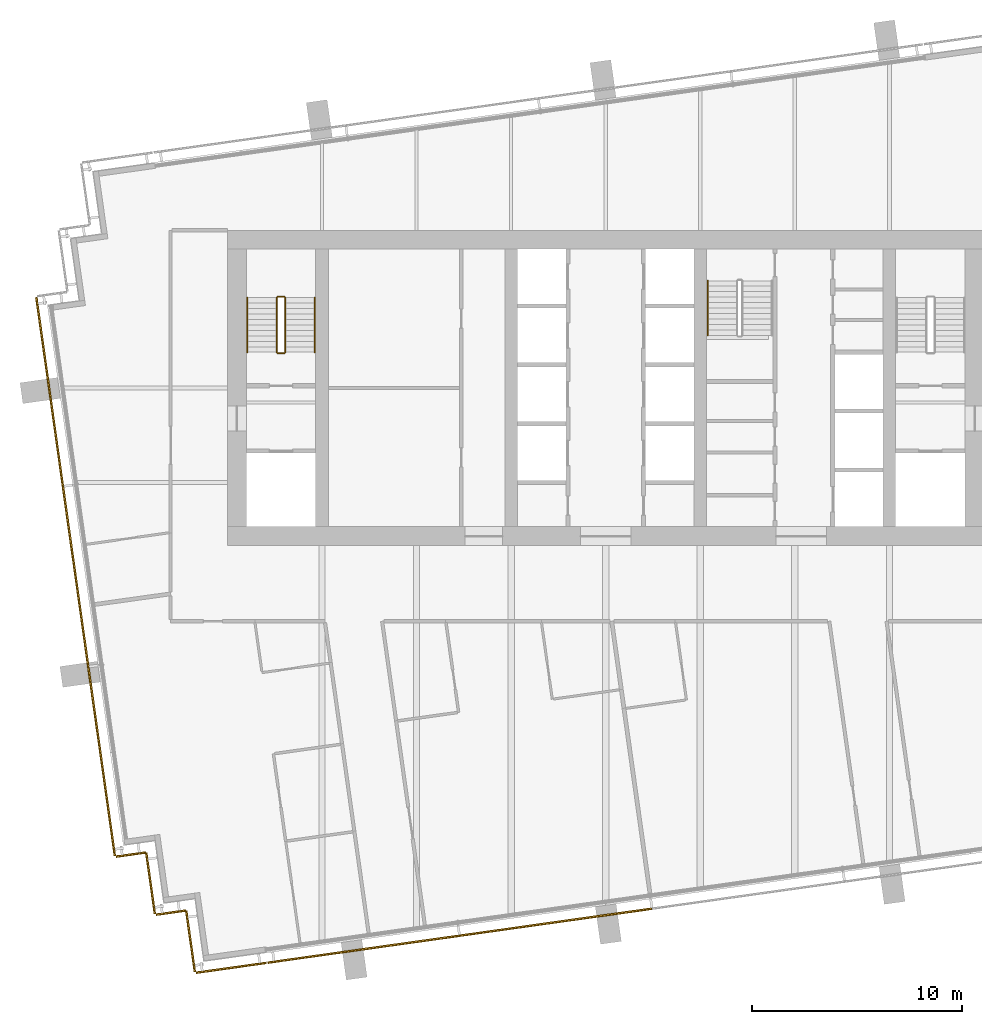
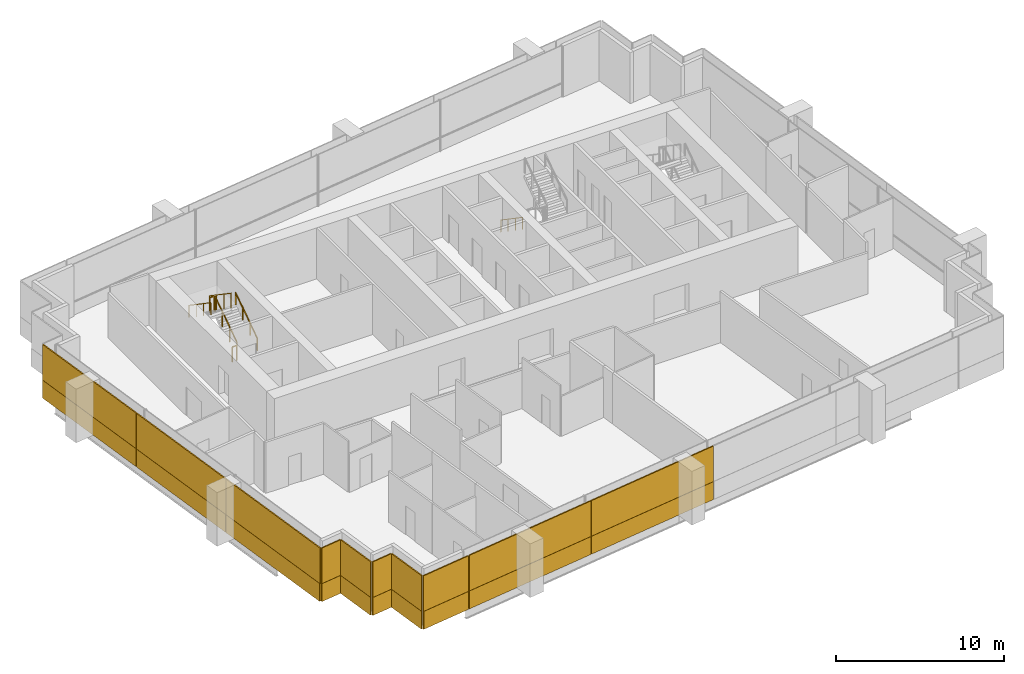
# One storey, part 12 of 15: 20 coverings, 7 railings.
"""IFC4 building model written with IfcOpenShell, lengths in metres."""

from ifc_helpers import new_model, si_unit, direction, frame, origin, origin_2d, place, context, subcontext, project, spatial, rectangle, extrude, material, layer, layer_set, type_object, element, save


model = new_model("IFC4")

# Units and contexts
model_context = context("Model", 3, precision=1e-05, world=origin(), true_north=direction((0.0, 1.0)))
body_context = subcontext(model_context, "Body", "Model", "MODEL_VIEW")
ifc_project = project(units=[si_unit("LENGTHUNIT", "METRE"), si_unit("AREAUNIT", "SQUARE_METRE"), si_unit("VOLUMEUNIT", "CUBIC_METRE"), si_unit("PLANEANGLEUNIT", "RADIAN"), si_unit("MASSUNIT", "GRAM", prefix="KILO")], contexts=[model_context])

# Site, building, storey
site_placement = place(None, origin())
site = spatial("IfcSite", under=ifc_project, at=site_placement, CompositionType="ELEMENT")
building_placement = place(site_placement, origin())
building = spatial("IfcBuilding", under=site, at=building_placement, Name="Rattan Terrace Tower", CompositionType="ELEMENT")
storey_placement = place(building_placement, frame((0.0, 0.0, 274.60009765625)))
storey = spatial("IfcBuildingStorey", under=building, at=storey_placement, Name="L63", CompositionType="ELEMENT", Elevation=274.60009765625)

# Railings
ifc_material_1 = material(Name="Powder-coated steel guard", Category="steel")
railing_type_1 = type_object("IfcRailingType", Name="Core stair guard", PredefinedType="GUARDRAIL", material=ifc_material_1)
railing_1_placement = place(storey_placement, frame((-15.25, 1.699951171875, 0.17724609375)))
element("IfcRailing", 1, at=railing_1_placement, inside=storey, type_object=railing_type_1, Name="L63 S1 stair guard 1", PredefinedType="GUARDRAIL", context=body_context, shape_type="SweptSolid", body=[
    extrude(rectangle(XDim=0.048095703125, YDim=0.048095703125, at=origin_2d()), frame((0.0, 0.0, 1.076171875), z_axis=(0.0, 0.826240473404, 0.563317565952), x_axis=(-1.0, 0.0, 0.0)), (0.0, 0.0, 1.0), 3.14697265625),
    extrude(rectangle(XDim=0.0419921875, YDim=0.0419921875, at=origin_2d()), origin(), (0.0, 0.0, 1.0), 1.052001953125),
    extrude(rectangle(XDim=0.0419921875, YDim=0.0419921875, at=origin_2d()), frame((0.0, 0.86669921875, 0.5908203125)), (0.0, 0.0, 1.0), 1.052001953125),
    extrude(rectangle(XDim=0.0419921875, YDim=0.0419921875, at=origin_2d()), frame((0.0, 1.7333984375, 1.181884765625)), (0.0, 0.0, 1.0), 1.052001953125),
    extrude(rectangle(XDim=0.0419921875, YDim=0.0419921875, at=origin_2d()), frame((0.0, 2.60009765625, 1.772705078125)), (0.0, 0.0, 1.0), 1.052001953125),
])
railing_2_placement = place(storey_placement, frame((-15.300048828125, 4.35009765625, 1.949951171875)))
element("IfcRailing", 2, at=railing_2_placement, inside=storey, type_object=railing_type_1, Name="L63 S1 stair guard 2", PredefinedType="GUARDRAIL", context=body_context, shape_type="SweptSolid", body=[
    extrude(rectangle(XDim=0.048095703125, YDim=0.048095703125, at=origin_2d()), frame((0.0, 0.0, 1.076171875), z_axis=(-1.0, 0.0, 0.0), x_axis=(0.0, -1.0, 0.0)), (0.0, 0.0, 1.0), 0.300048828125),
    extrude(rectangle(XDim=0.0419921875, YDim=0.0419921875, at=origin_2d()), origin(), (0.0, 0.0, 1.0), 1.052001953125),
    extrude(rectangle(XDim=0.0419921875, YDim=0.0419921875, at=origin_2d()), frame((-0.300048828125, 0.0, 0.0)), (0.0, 0.0, 1.0), 1.052001953125),
])
railing_3_placement = place(storey_placement, frame((-15.64990234375, 4.300048828125, 2.127197265625)))
element("IfcRailing", 3, at=railing_3_placement, inside=storey, type_object=railing_type_1, Name="L63 S1 stair guard 3", PredefinedType="GUARDRAIL", context=body_context, shape_type="SweptSolid", body=[
    extrude(rectangle(XDim=0.048095703125, YDim=0.048095703125, at=origin_2d()), frame((0.0, 0.0, 1.076171875), z_axis=(0.0, -0.826240473404, 0.563317565952), x_axis=(1.0, 0.0, 0.0)), (0.0, 0.0, 1.0), 3.14697265625),
    extrude(rectangle(XDim=0.0419921875, YDim=0.0419921875, at=origin_2d()), origin(), (0.0, 0.0, 1.0), 1.052001953125),
    extrude(rectangle(XDim=0.0419921875, YDim=0.0419921875, at=origin_2d()), frame((0.0, -0.86669921875, 0.5908203125)), (0.0, 0.0, 1.0), 1.052001953125),
    extrude(rectangle(XDim=0.0419921875, YDim=0.0419921875, at=origin_2d()), frame((0.0, -1.7333984375, 1.181884765625)), (0.0, 0.0, 1.0), 1.052001953125),
    extrude(rectangle(XDim=0.0419921875, YDim=0.0419921875, at=origin_2d()), frame((0.0, -2.60009765625, 1.772705078125)), (0.0, 0.0, 1.0), 1.052001953125),
])
railing_4_placement = place(storey_placement, frame((-15.300048828125, 1.64990234375, 0.0)))
element("IfcRailing", 4, at=railing_4_placement, inside=storey, type_object=railing_type_1, Name="L63 S1 stair guard 4", PredefinedType="GUARDRAIL", context=body_context, shape_type="SweptSolid", body=[
    extrude(rectangle(XDim=0.048095703125, YDim=0.048095703125, at=origin_2d()), frame((0.0, 0.0, 1.076171875), z_axis=(-1.0, 0.0, 0.0), x_axis=(0.0, -1.0, 0.0)), (0.0, 0.0, 1.0), 0.300048828125),
    extrude(rectangle(XDim=0.0419921875, YDim=0.0419921875, at=origin_2d()), origin(), (0.0, 0.0, 1.0), 1.052001953125),
    extrude(rectangle(XDim=0.0419921875, YDim=0.0419921875, at=origin_2d()), frame((-0.300048828125, 0.0, 0.0)), (0.0, 0.0, 1.0), 1.052001953125),
])
ifc_material_2 = material(Name="Powder-coated steel handrail", Category="steel")
railing_type_2 = type_object("IfcRailingType", Name="Core stair handrail", PredefinedType="HANDRAIL", material=ifc_material_2)
railing_5_placement = place(storey_placement, frame((-13.85009765625, 1.699951171875, 0.17724609375)))
element("IfcRailing", 5, at=railing_5_placement, inside=storey, type_object=railing_type_2, Name="L63 S1 stair handrail 1", PredefinedType="HANDRAIL", context=body_context, shape_type="SweptSolid", body=[
    extrude(rectangle(XDim=0.048095703125, YDim=0.048095703125, at=origin_2d()), frame((0.0, 0.0, 0.8759765625), z_axis=(0.0, 0.826240473404, 0.563317565952), x_axis=(-1.0, 0.0, 0.0)), (0.0, 0.0, 1.0), 3.14697265625),
    extrude(rectangle(XDim=0.0419921875, YDim=0.0419921875, at=origin_2d()), origin(), (0.0, 0.0, 1.0), 0.851806640625),
    extrude(rectangle(XDim=0.0419921875, YDim=0.0419921875, at=origin_2d()), frame((0.0, 0.86669921875, 0.5908203125)), (0.0, 0.0, 1.0), 0.851806640625),
    extrude(rectangle(XDim=0.0419921875, YDim=0.0419921875, at=origin_2d()), frame((0.0, 1.7333984375, 1.181884765625)), (0.0, 0.0, 1.0), 0.851806640625),
    extrude(rectangle(XDim=0.0419921875, YDim=0.0419921875, at=origin_2d()), frame((0.0, 2.60009765625, 1.772705078125)), (0.0, 0.0, 1.0), 0.851806640625),
])
for number, where, name in (
    (6, (-17.050048828125, 4.300048828125, 2.127197265625), "L63 S1 stair handrail 2"),
    (7, (4.85009765625, 5.10009765625, 0.17724609375), "L63 S3 stair handrail 1"),
):
    element("IfcRailing", number, at=place(storey_placement, frame(where)), inside=storey, type_object=railing_type_2, Name=name, PredefinedType="HANDRAIL", context=body_context, shape_type="SweptSolid", body=[
        extrude(rectangle(XDim=0.048095703125, YDim=0.048095703125, at=origin_2d()), frame((0.0, 0.0, 0.8759765625), z_axis=(0.0, -0.826240473404, 0.563317565952), x_axis=(1.0, 0.0, 0.0)), (0.0, 0.0, 1.0), 3.14697265625),
        extrude(rectangle(XDim=0.0419921875, YDim=0.0419921875, at=origin_2d()), origin(), (0.0, 0.0, 1.0), 0.851806640625),
        extrude(rectangle(XDim=0.0419921875, YDim=0.0419921875, at=origin_2d()), frame((0.0, -0.86669921875, 0.5908203125)), (0.0, 0.0, 1.0), 0.851806640625),
        extrude(rectangle(XDim=0.0419921875, YDim=0.0419921875, at=origin_2d()), frame((0.0, -1.7333984375, 1.181884765625)), (0.0, 0.0, 1.0), 0.851806640625),
        extrude(rectangle(XDim=0.0419921875, YDim=0.0419921875, at=origin_2d()), frame((0.0, -2.60009765625, 1.772705078125)), (0.0, 0.0, 1.0), 0.851806640625),
    ])

# Coverings
ifc_material_3 = material(Name="Solid terracotta", Category="masonry")
ifc_layer_1 = layer(ifc_material_3, 0.090087890625)
ifc_layer_set_1 = layer_set([ifc_layer_1], Name="Facade Terracotta Band Panel HZ")
covering_type_1 = type_object("IfcCoveringType", Name="Facade Terracotta Band Panel HZ", PredefinedType="CLADDING", material=ifc_layer_set_1)
covering_1_placement = place(storey_placement, frame((-26.45751953125, -0.18408203125, -0.18994140625), z_axis=(0.0, 0.0, 1.0), x_axis=(0.139191775431, -0.990265444036, 0.0)))
element("IfcCovering", 8, at=covering_1_placement, inside=storey, type_object=covering_type_1, Name="OUTER SKIN panel L63-23A", PredefinedType="CLADDING", context=body_context, shape_type="SweptSolid", body=[
    extrude(rectangle(XDim=9.06689453125, YDim=0.090087890625, at=origin_2d()), origin(), (0.0, 0.0, 1.0), 1.300048828125),
])
covering_2_placement = place(storey_placement, frame((-25.221923828125, -8.974609375, -0.18994140625), z_axis=(0.0, 0.0, 1.0), x_axis=(0.139191775431, -0.990265444036, 0.0)))
element("IfcCovering", 9, at=covering_2_placement, inside=storey, type_object=covering_type_1, Name="OUTER SKIN panel L63-24A", PredefinedType="CLADDING", context=body_context, shape_type="SweptSolid", body=[
    extrude(rectangle(XDim=8.64697265625, YDim=0.090087890625, at=origin_2d()), origin(), (0.0, 0.0, 1.0), 1.300048828125),
])
covering_3_placement = place(storey_placement, frame((-23.986328125, -17.764892578125, -0.18994140625), z_axis=(0.0, 0.0, 1.0), x_axis=(0.139191775431, -0.990265444036, 0.0)))
element("IfcCovering", 10, at=covering_3_placement, inside=storey, type_object=covering_type_1, Name="OUTER SKIN panel L63-25A", PredefinedType="CLADDING", context=body_context, shape_type="SweptSolid", body=[
    extrude(rectangle(XDim=9.066162109375, YDim=0.090087890625, at=origin_2d()), origin(), (0.0, 0.0, 1.0), 1.300048828125),
])
covering_4_placement = place(storey_placement, frame((-22.59033203125, -22.20166015625, -0.18994140625), z_axis=(0.0, 0.0, 1.0), x_axis=(0.990240767803, 0.139367219175, 0.0)))
element("IfcCovering", 11, at=covering_4_placement, inside=storey, type_object=covering_type_1, Name="OUTER SKIN panel L63-26A", PredefinedType="CLADDING", context=body_context, shape_type="SweptSolid", body=[
    extrude(rectangle(XDim=1.419677734375, YDim=0.090087890625, at=origin_2d()), origin(), (0.0, 0.0, 1.0), 1.300048828125),
])
covering_5_placement = place(storey_placement, frame((-21.65576171875, -23.56982421875, -0.18994140625), z_axis=(0.0, 0.0, 1.0), x_axis=(0.139321220646, -0.990247240581, 0.0)))
element("IfcCovering", 12, at=covering_5_placement, inside=storey, type_object=covering_type_1, Name="OUTER SKIN panel L63-27A", PredefinedType="CLADDING", context=body_context, shape_type="SweptSolid", body=[
    extrude(rectangle(XDim=2.919921875, YDim=0.090087890625, at=origin_2d()), origin(), (0.0, 0.0, 1.0), 1.300048828125),
])
covering_6_placement = place(storey_placement, frame((-20.687255859375, -24.9638671875, -0.18994140625), z_axis=(0.0, 0.0, 1.0), x_axis=(0.990332587523, 0.138713251317, 0.0)))
element("IfcCovering", 13, at=covering_6_placement, inside=storey, type_object=covering_type_1, Name="OUTER SKIN panel L63-28A", PredefinedType="CLADDING", context=body_context, shape_type="SweptSolid", body=[
    extrude(rectangle(XDim=1.41943359375, YDim=0.090087890625, at=origin_2d()), origin(), (0.0, 0.0, 1.0), 1.300048828125),
])
covering_7_placement = place(storey_placement, frame((-19.752685546875, -26.332275390625, -0.18994140625), z_axis=(0.0, 0.0, 1.0), x_axis=(0.139367219175, -0.990240767803, 0.0)))
element("IfcCovering", 14, at=covering_7_placement, inside=storey, type_object=covering_type_1, Name="OUTER SKIN panel L63-29A", PredefinedType="CLADDING", context=body_context, shape_type="SweptSolid", body=[
    extrude(rectangle(XDim=2.91943359375, YDim=0.090087890625, at=origin_2d()), origin(), (0.0, 0.0, 1.0), 1.300048828125),
])
covering_8_placement = place(storey_placement, frame((-17.819091796875, -27.59033203125, -0.18994140625), z_axis=(0.0, 0.0, 1.0), x_axis=(0.990286729519, 0.139040257974, 0.0)))
element("IfcCovering", 15, at=covering_8_placement, inside=storey, type_object=covering_type_1, Name="OUTER SKIN panel L63-30A", PredefinedType="CLADDING", context=body_context, shape_type="SweptSolid", body=[
    extrude(rectangle(XDim=3.368896484375, YDim=0.090087890625, at=origin_2d()), origin(), (0.0, 0.0, 1.0), 1.300048828125),
])
covering_9_placement = place(storey_placement, frame((-11.516845703125, -26.70458984375, -0.18994140625), z_axis=(0.0, 0.0, 1.0), x_axis=(0.990265894013, 0.139188574079, 0.0)))
element("IfcCovering", 16, at=covering_9_placement, inside=storey, type_object=covering_type_1, Name="OUTER SKIN panel L63-31A", PredefinedType="CLADDING", context=body_context, shape_type="SweptSolid", body=[
    extrude(rectangle(XDim=9.198974609375, YDim=0.090087890625, at=origin_2d()), origin(), (0.0, 0.0, 1.0), 1.300048828125),
])
covering_10_placement = place(storey_placement, frame((-2.372802734375, -25.41943359375, -0.18994140625), z_axis=(0.0, 0.0, 1.0), x_axis=(0.990265894013, 0.139188574079, 0.0)))
element("IfcCovering", 17, at=covering_10_placement, inside=storey, type_object=covering_type_1, Name="OUTER SKIN panel L63-32A", PredefinedType="CLADDING", context=body_context, shape_type="SweptSolid", body=[
    extrude(rectangle(XDim=9.22900390625, YDim=0.090087890625, at=origin_2d()), origin(), (0.0, 0.0, 1.0), 1.300048828125),
])
ifc_material_4 = material(Name="Perforated terracotta", Category="masonry")
ifc_layer_2 = layer(ifc_material_4, 0.080078125)
ifc_layer_set_2 = layer_set([ifc_layer_2], Name="Facade Terracotta Screen Panel HZ")
covering_type_2 = type_object("IfcCoveringType", Name="Facade Terracotta Screen Panel HZ", PredefinedType="CLADDING", material=ifc_layer_set_2)
covering_11_placement = place(storey_placement, frame((-26.45263671875, -0.183349609375, 1.10986328125), z_axis=(0.0, 0.0, 1.0), x_axis=(0.139191775431, -0.990265444036, 0.0)))
element("IfcCovering", 18, at=covering_11_placement, inside=storey, type_object=covering_type_2, Name="OUTER SKIN panel L63-23B", PredefinedType="CLADDING", context=body_context, shape_type="SweptSolid", body=[
    extrude(rectangle(XDim=9.06689453125, YDim=0.080078125, at=origin_2d()), origin(), (0.0, 0.0, 1.0), 2.580078125),
])
covering_12_placement = place(storey_placement, frame((-25.217041015625, -8.973876953125, 1.10986328125), z_axis=(0.0, 0.0, 1.0), x_axis=(0.139191775431, -0.990265444036, 0.0)))
element("IfcCovering", 19, at=covering_12_placement, inside=storey, type_object=covering_type_2, Name="OUTER SKIN panel L63-24B", PredefinedType="CLADDING", context=body_context, shape_type="SweptSolid", body=[
    extrude(rectangle(XDim=8.64697265625, YDim=0.080078125, at=origin_2d()), origin(), (0.0, 0.0, 1.0), 2.580078125),
])
covering_13_placement = place(storey_placement, frame((-23.9814453125, -17.76416015625, 1.10986328125), z_axis=(0.0, 0.0, 1.0), x_axis=(0.139191775431, -0.990265444036, 0.0)))
element("IfcCovering", 20, at=covering_13_placement, inside=storey, type_object=covering_type_2, Name="OUTER SKIN panel L63-25B", PredefinedType="CLADDING", context=body_context, shape_type="SweptSolid", body=[
    extrude(rectangle(XDim=9.066162109375, YDim=0.080078125, at=origin_2d()), origin(), (0.0, 0.0, 1.0), 2.580078125),
])
covering_14_placement = place(storey_placement, frame((-22.591064453125, -22.19677734375, 1.10986328125), z_axis=(0.0, 0.0, 1.0), x_axis=(0.990240767803, 0.139367219175, 0.0)))
element("IfcCovering", 21, at=covering_14_placement, inside=storey, type_object=covering_type_2, Name="OUTER SKIN panel L63-26B", PredefinedType="CLADDING", context=body_context, shape_type="SweptSolid", body=[
    extrude(rectangle(XDim=1.419677734375, YDim=0.080078125, at=origin_2d()), origin(), (0.0, 0.0, 1.0), 2.580078125),
])
covering_15_placement = place(storey_placement, frame((-21.65087890625, -23.569091796875, 1.10986328125), z_axis=(0.0, 0.0, 1.0), x_axis=(0.139321220646, -0.990247240581, 0.0)))
element("IfcCovering", 22, at=covering_15_placement, inside=storey, type_object=covering_type_2, Name="OUTER SKIN panel L63-27B", PredefinedType="CLADDING", context=body_context, shape_type="SweptSolid", body=[
    extrude(rectangle(XDim=2.919921875, YDim=0.080078125, at=origin_2d()), origin(), (0.0, 0.0, 1.0), 2.580078125),
])
covering_16_placement = place(storey_placement, frame((-20.68798828125, -24.958984375, 1.10986328125), z_axis=(0.0, 0.0, 1.0), x_axis=(0.990332587523, 0.138713251317, 0.0)))
element("IfcCovering", 23, at=covering_16_placement, inside=storey, type_object=covering_type_2, Name="OUTER SKIN panel L63-28B", PredefinedType="CLADDING", context=body_context, shape_type="SweptSolid", body=[
    extrude(rectangle(XDim=1.41943359375, YDim=0.080078125, at=origin_2d()), origin(), (0.0, 0.0, 1.0), 2.580078125),
])
covering_17_placement = place(storey_placement, frame((-19.747802734375, -26.33154296875, 1.10986328125), z_axis=(0.0, 0.0, 1.0), x_axis=(0.139367219175, -0.990240767803, 0.0)))
element("IfcCovering", 24, at=covering_17_placement, inside=storey, type_object=covering_type_2, Name="OUTER SKIN panel L63-29B", PredefinedType="CLADDING", context=body_context, shape_type="SweptSolid", body=[
    extrude(rectangle(XDim=2.91943359375, YDim=0.080078125, at=origin_2d()), origin(), (0.0, 0.0, 1.0), 2.580078125),
])
covering_18_placement = place(storey_placement, frame((-17.81982421875, -27.585205078125, 1.10986328125), z_axis=(0.0, 0.0, 1.0), x_axis=(0.990286729519, 0.139040257974, 0.0)))
element("IfcCovering", 25, at=covering_18_placement, inside=storey, type_object=covering_type_2, Name="OUTER SKIN panel L63-30B", PredefinedType="CLADDING", context=body_context, shape_type="SweptSolid", body=[
    extrude(rectangle(XDim=3.368896484375, YDim=0.080078125, at=origin_2d()), origin(), (0.0, 0.0, 1.0), 2.580078125),
])
covering_19_placement = place(storey_placement, frame((-11.517578125, -26.69970703125, 1.10986328125), z_axis=(0.0, 0.0, 1.0), x_axis=(0.990265894013, 0.139188574079, 0.0)))
element("IfcCovering", 26, at=covering_19_placement, inside=storey, type_object=covering_type_2, Name="OUTER SKIN panel L63-31B", PredefinedType="CLADDING", context=body_context, shape_type="SweptSolid", body=[
    extrude(rectangle(XDim=9.198974609375, YDim=0.080078125, at=origin_2d()), origin(), (0.0, 0.0, 1.0), 2.580078125),
])
covering_20_placement = place(storey_placement, frame((-2.37353515625, -25.41455078125, 1.10986328125), z_axis=(0.0, 0.0, 1.0), x_axis=(0.990265894013, 0.139188574079, 0.0)))
element("IfcCovering", 27, at=covering_20_placement, inside=storey, type_object=covering_type_2, Name="OUTER SKIN panel L63-32B", PredefinedType="CLADDING", context=body_context, shape_type="SweptSolid", body=[
    extrude(rectangle(XDim=9.22900390625, YDim=0.080078125, at=origin_2d()), origin(), (0.0, 0.0, 1.0), 2.580078125),
])

save(model, "model.ifc")
